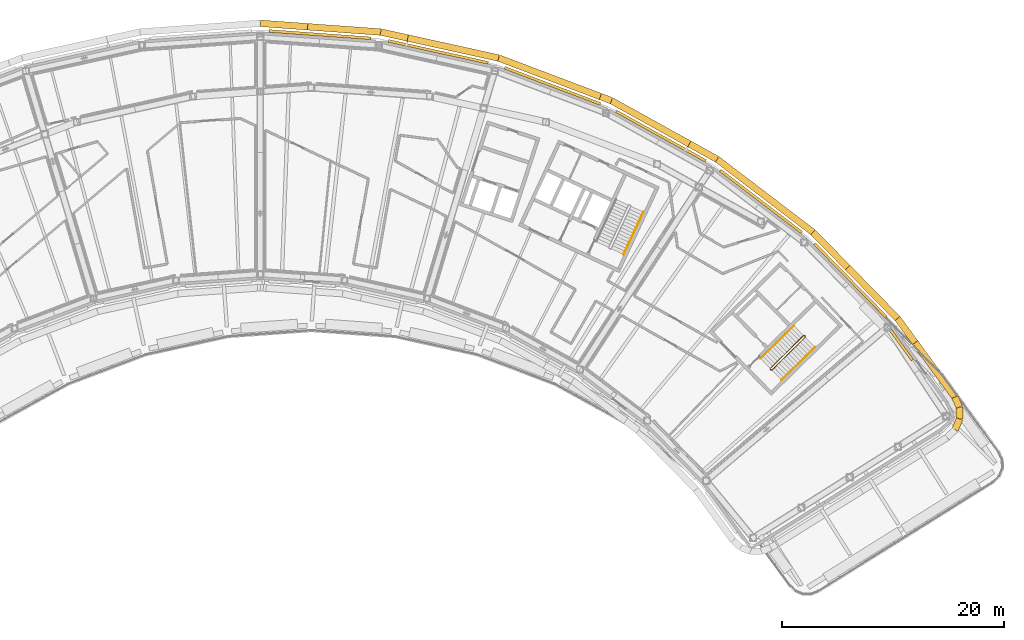
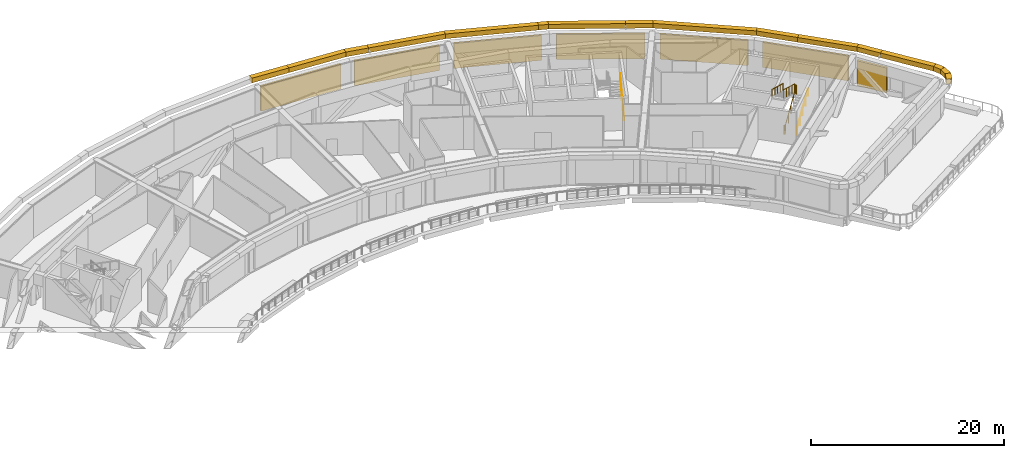
# One storey, part 22 of 24: 16 coverings, 7 shading devices, 4 railings.
"""IFC4 building model written with IfcOpenShell, lengths in metres."""

import ifcopenshell
import ifcopenshell.guid

model = None  # the IFC model being written
_history = None  # IfcOwnerHistory: only IFC2X3 demands one
_inside = {}  # id of a spatial element -> (the spatial element, [elements in it])
_under = {}  # id of a project, library or spatial element -> (it, [spatial elements below it])
_declared = {}  # id of a project -> (the project, [libraries it declares])
_typed = {}  # id of a type object -> (the type object, [elements of that type])
_made_of = {}  # id of a material, layer set ... -> (it, [elements and type objects made of it])


def new_model(schema):
    """Start an empty IFC model of exactly this schema.

    Asked for "IFC4X3", IfcOpenShell would pick the latest addendum, in which some entities
    have other attributes; the version numbers below select the first issue.
    IFC2X3 requires an IfcOwnerHistory on every rooted entity: one is made here for all.
    """
    global model, _history
    if schema == "IFC4X3":
        model = ifcopenshell.file(schema_version=(4, 3, 0, 0))
    else:
        model = ifcopenshell.file(schema=schema)
    _inside.clear()
    _under.clear()
    _declared.clear()
    _typed.clear()
    _made_of.clear()
    _history = None
    if model.schema == "IFC2X3":
        org = make("IfcOrganization", Name="unknown")
        user = make(
            "IfcPersonAndOrganization",
            ThePerson=make("IfcPerson", FamilyName="unknown"),
            TheOrganization=org,
        )
        app = make(
            "IfcApplication",
            ApplicationDeveloper=org,
            Version="unknown",
            ApplicationFullName="unknown",
            ApplicationIdentifier="unknown",
        )
        _history = make(
            "IfcOwnerHistory",
            OwningUser=user,
            OwningApplication=app,
            ChangeAction="ADDED",
            CreationDate=0,
        )
    return model


def make(cls, **values):
    """One entity of the class cls with the attributes given. An attribute that is None is left unset."""
    return model.create_entity(
        cls, **{name: value for name, value in values.items() if value is not None}
    )


def rooted(cls, **values):
    """An entity with a GlobalId (a new one), such as an element, a storey or a relation."""
    return make(cls, GlobalId=ifcopenshell.guid.new(), OwnerHistory=_history, **values)


def si_unit(unit_type, name, prefix=None):
    """IfcSIUnit, for example si_unit("LENGTHUNIT", "METRE", prefix="MILLI")."""
    return make("IfcSIUnit", UnitType=unit_type, Prefix=prefix, Name=name)


def assignment(units):
    """IfcUnitAssignment: the units of a project."""
    return None if units is None else make("IfcUnitAssignment", Units=units)


def point(xyz):
    """IfcCartesianPoint."""
    return None if xyz is None else make("IfcCartesianPoint", Coordinates=xyz)


def direction(xyz):
    """IfcDirection."""
    return None if xyz is None else make("IfcDirection", DirectionRatios=xyz)


def frame(location, z_axis=None, x_axis=None):
    """IfcAxis2Placement3D, a coordinate frame: its origin and axes. An axis left out is left unset."""
    return make(
        "IfcAxis2Placement3D",
        Location=point(location),
        Axis=direction(z_axis),
        RefDirection=direction(x_axis),
    )


def frame_2d(location, x_axis=None):
    """IfcAxis2Placement2D, a coordinate frame in the plane: its origin and x axis."""
    return make(
        "IfcAxis2Placement2D", Location=point(location), RefDirection=direction(x_axis)
    )


def origin():
    """The frame at (0, 0, 0) with its axes left unset."""
    return frame((0.0, 0.0, 0.0))


def origin_2d():
    """The frame at (0, 0) in the plane with its x axis left unset."""
    return frame_2d((0.0, 0.0))


def place(relative_to, where):
    """IfcLocalPlacement: puts the frame where relative to a parent placement (None: the world)."""
    return make(
        "IfcLocalPlacement", PlacementRelTo=relative_to, RelativePlacement=where
    )


def context(
    kind, dimensions, precision=None, world=None, true_north=None, identifier=None
):
    """IfcGeometricRepresentationContext, for example the 3D "Model" context."""
    return make(
        "IfcGeometricRepresentationContext",
        ContextIdentifier=identifier,
        ContextType=kind,
        CoordinateSpaceDimension=dimensions,
        Precision=precision,
        WorldCoordinateSystem=world,
        TrueNorth=true_north,
    )


def subcontext(parent, identifier, kind, view, scale=None):
    """IfcGeometricRepresentationSubContext, for example "Body" below "Model"."""
    return make(
        "IfcGeometricRepresentationSubContext",
        ContextIdentifier=identifier,
        ContextType=kind,
        ParentContext=parent,
        TargetScale=scale,
        TargetView=view,
    )


def project(units=None, contexts=None):
    """IfcProject with its units and contexts."""
    return rooted(
        "IfcProject",
        Name="project",
        RepresentationContexts=contexts,
        UnitsInContext=assignment(units),
    )


def spatial(cls, under=None, at=None, **own):
    """A site, building, storey or space (cls), placed at a placement, below another one or the project."""
    s = rooted(cls, ObjectPlacement=at, **own)
    if under is not None:
        _under.setdefault(under.id(), (under, []))[1].append(s)
    return s


def profile(cls, at=None, kind="AREA", **sizes):
    """A parametric profile (cls). Its sizes go by their IFC names, for example OverallWidth=200.0."""
    return make(cls, ProfileType=kind, Position=at, **sizes)


def rectangle(**sizes):
    """IfcRectangleProfileDef."""
    return profile("IfcRectangleProfileDef", **sizes)


def circle(**sizes):
    """IfcCircleProfileDef."""
    return profile("IfcCircleProfileDef", **sizes)


def extrude(swept, where, along, depth):
    """IfcExtrudedAreaSolid: the profile swept, set in the frame where, extruded along a direction by depth."""
    return make(
        "IfcExtrudedAreaSolid",
        SweptArea=swept,
        Position=where,
        ExtrudedDirection=direction(along),
        Depth=depth,
    )


def shape(context_of_items, identifier, shape_type, items):
    """IfcShapeRepresentation: the items that make up one representation, for example the "Body"."""
    return make(
        "IfcShapeRepresentation",
        ContextOfItems=context_of_items,
        RepresentationIdentifier=identifier,
        RepresentationType=shape_type,
        Items=items,
    )


def material(Name=None, Category=None):
    """IfcMaterial."""
    return make("IfcMaterial", Name=Name, Category=Category)


def material_profile(
    of_material, cross_section, Name=None, Category=None, Priority=None
):
    """IfcMaterialProfile: a cross section and its material."""
    return make(
        "IfcMaterialProfile",
        Name=Name,
        Material=of_material,
        Profile=cross_section,
        Priority=Priority,
        Category=Category,
    )


def profile_set(profiles, Name=None, composite=None):
    """IfcMaterialProfileSet."""
    return make(
        "IfcMaterialProfileSet",
        Name=Name,
        MaterialProfiles=profiles,
        CompositeProfile=composite,
    )


def made_of(thing, what):
    """Note that an element or type object is made of a material, layer set ...; save() writes the relation."""
    if what is not None:
        _made_of.setdefault(what.id(), (what, []))[1].append(thing)
    return thing


def type_object(cls, material=None, **own):
    """A type object (cls), such as IfcWallType, which elements share."""
    return made_of(rooted(cls, **own), material)


def element(
    cls,
    number,
    at=None,
    inside=None,
    cuts=None,
    type_object=None,
    material=None,
    context=None,
    identifier="Body",
    shape_type=None,
    held_by="IfcProductDefinitionShape",
    body=None,
    shapes=None,
    **own,
):
    """One element of the class cls, such as IfcWall. Its Tag is "e" and its number.

    at: its placement. inside: the storey or other place that contains it. cuts: it is an
    opening in that element (IfcRelVoidsElement). A single representation is given by context,
    identifier, shape_type and body (its items); several are given by shapes. held_by: the class
    of the entity that holds the representations. save() writes the other relations.
    """
    e = rooted(cls, Tag="e%d" % number, ObjectPlacement=at, **own)
    if body is not None:
        shapes = [shape(context, identifier, shape_type, body)]
    if shapes is not None:
        e.Representation = make(held_by, Representations=shapes)
    if inside is not None:
        _inside.setdefault(inside.id(), (inside, []))[1].append(e)
    if cuts is not None:
        rooted(
            "IfcRelVoidsElement", RelatingBuildingElement=cuts, RelatedOpeningElement=e
        )
    if type_object is not None:
        _typed.setdefault(type_object.id(), (type_object, []))[1].append(e)
    return made_of(e, material)


def aggregate(whole, parts):
    """IfcRelAggregates: a whole, such as a stair, and the parts it consists of."""
    return rooted("IfcRelAggregates", RelatingObject=whole, RelatedObjects=parts)


def save(model, path):
    """Write the relations noted so far, then the file.

    IfcRelAggregates (storeys below a building ...), IfcRelContainedInSpatialStructure (elements
    in a storey), IfcRelDefinesByType, IfcRelAssociatesMaterial and IfcRelDeclares: one each for
    every whole, place, type object, material and project.
    """
    for whole, parts in _under.values():
        aggregate(whole, parts)
    for where, things in _inside.values():
        rooted(
            "IfcRelContainedInSpatialStructure",
            RelatedElements=things,
            RelatingStructure=where,
        )
    for kind, things in _typed.values():
        rooted("IfcRelDefinesByType", RelatedObjects=things, RelatingType=kind)
    for what, things in _made_of.values():
        rooted("IfcRelAssociatesMaterial", RelatedObjects=things, RelatingMaterial=what)
    for by, libraries in _declared.values():
        rooted("IfcRelDeclares", RelatingContext=by, RelatedDefinitions=libraries)
    model.write(path)


model = new_model("IFC4")

# Units and contexts
model_context = context("Model", 3, precision=1e-05, world=origin(), true_north=direction((0.0, 1.0)))
body_context = subcontext(model_context, "Body", "Model", "MODEL_VIEW")
ifc_project = project(units=[si_unit("LENGTHUNIT", "METRE"), si_unit("AREAUNIT", "SQUARE_METRE"), si_unit("VOLUMEUNIT", "CUBIC_METRE"), si_unit("PLANEANGLEUNIT", "RADIAN"), si_unit("MASSUNIT", "GRAM", prefix="KILO")], contexts=[model_context])

# Site, building, storey
site_placement = place(None, origin())
site = spatial("IfcSite", under=ifc_project, at=site_placement, CompositionType="ELEMENT")
building_placement = place(site_placement, origin())
building = spatial("IfcBuilding", under=site, at=building_placement, Name="Tuul Gate Civic Tower", CompositionType="ELEMENT")
storey_placement = place(building_placement, frame((0.0, 0.0, 315.199951171875)))
storey = spatial("IfcBuildingStorey", under=building, at=storey_placement, Name="Plant and refuge floor 7", CompositionType="ELEMENT", Elevation=315.199951171875)

# Shading devices
ifc_material_1 = material(Name="Aluminium louvre", Category="aluminium")
shading_device_type = type_object("IfcShadingDeviceType", Name="Louvre panel", PredefinedType="USERDEFINED", material=ifc_material_1)
for number, where, z_axis, x_axis, name in (
    (1, (55.2373046875, -8.072998046875, 0.300048828125), (0.0, 0.0, 1.0), (0.714100212908, 0.700043488595, 0.0), "Louvre panel"),
    (2, (47.190185546875, -0.971435546875, 0.300048828125), (0.0, 0.0, 1.0), (0.605807600786, 0.795611180684, 0.0), "Louvre panel"),
    (3, (38.20361328125, 4.896240234375, 0.300048828125), (0.0, 0.0, 1.0), (0.48478912347, 0.874631068374, 0.0), "Louvre panel"),
    (4, (28.46533203125, 9.407958984375, 0.300048828125), (0.0, 0.0, 1.0), (0.35373363489, 0.935346200905, 0.0), "Louvre panel"),
    (5, (18.178466796875, 12.468994140625, 0.300048828125), (0.0, 0.0, 1.0), (0.215215147882, 0.976566659334, 0.0), "Louvre panel"),
    (6, (7.55810546875, 14.015625, 0.300048828125), (0.0, 0.0, 1.0), (0.07223936563, 0.997387323989, 0.0), "Louvre panel"),
):
    element("IfcShadingDevice", number, at=place(storey_placement, frame(where, z_axis=z_axis, x_axis=x_axis)), inside=storey, type_object=shading_device_type, Name=name, ObjectType="LOUVRE", PredefinedType="USERDEFINED", context=body_context, shape_type="SweptSolid", body=[
        extrude(rectangle(XDim=0.25, YDim=9.199951171875, at=origin_2d()), origin(), (0.0, 0.0, 1.0), 3.14990234375),
    ])
shading_device_placement = place(storey_placement, frame((59.828857421875, -13.892822265625, 0.300048828125), z_axis=(0.0, 0.0, 1.0), x_axis=(-0.80757848712, -0.589760109825, 0.0)))
element("IfcShadingDevice", 7, at=shading_device_placement, inside=storey, type_object=shading_device_type, Name="Louvre panel", ObjectType="LOUVRE", PredefinedType="USERDEFINED", context=body_context, shape_type="SweptSolid", body=[
    extrude(rectangle(XDim=0.25, YDim=3.35009765625, at=origin_2d()), origin(), (0.0, 0.0, 1.0), 3.14990234375),
])

# Railings
ifc_material_2 = material(Name="Painted steel", Category="steel")
railing_type_1 = type_object("IfcRailingType", Name="Stair guard", PredefinedType="GUARDRAIL", material=ifc_material_2)
railing_1_placement = place(storey_placement, frame((48.10546875, -16.134765625, 0.0)))
element("IfcRailing", 8, at=railing_1_placement, inside=storey, type_object=railing_type_1, Name="Plant and refuge floor 7 ST-3 stair guard 1", PredefinedType="GUARDRAIL", context=body_context, shape_type="SweptSolid", body=[
    extrude(circle(Radius=0.02392578125, at=origin_2d()), frame((0.0, 0.0, 1.076171875), z_axis=(-0.698506948293, 0.715603272202, 0.0), x_axis=(-0.715603272202, -0.698506948293, 0.0)), (0.0, 0.0, 1.0), 0.099853515625),
    extrude(circle(Radius=0.02392578125, at=origin_2d()), frame((-0.06982421875, 0.071533203125, 1.076171875), z_axis=(0.644948864628, -0.331432055434, 0.688617277337), x_axis=(0.457068866502, 0.889431307788, 0.0)), (0.0, 0.0, 1.0), 0.218017578125),
    extrude(circle(Radius=0.02392578125, at=origin_2d()), frame((0.07080078125, -0.000732421875, 1.22607421875), z_axis=(0.63872519735, 0.62614306485, 0.44718562657), x_axis=(-0.700038283577, 0.714105315431, 0.0)), (0.0, 0.0, 1.0), 4.69580078125),
    extrude(circle(Radius=0.02392578125, at=origin_2d()), frame((3.070068359375, 2.939453125, 3.326171875), z_axis=(0.010380063588, 0.999946125689, 0.0), x_axis=(-0.999946125689, 0.010380063588, 0.0)), (0.0, 0.0, 1.0), 0.070556640625),
    extrude(circle(Radius=0.02392578125, at=origin_2d()), frame((3.07080078125, 3.010009765625, 3.326171875), z_axis=(-0.699754442181, 0.714383454909, 0.0), x_axis=(-0.714383454909, -0.699754442181, 0.0)), (0.0, 0.0, 1.0), 0.10009765625),
    extrude(circle(Radius=0.02392578125, at=origin_2d()), frame((3.000732421875, 3.08154296875, 3.326171875), z_axis=(-0.425296725904, 0.004414844906, 0.905043205643), x_axis=(-0.010380063588, -0.999946125689, 0.0)), (0.0, 0.0, 1.0), 0.166015625),
    extrude(circle(Radius=0.02392578125, at=origin_2d()), frame((2.93017578125, 3.082275390625, 3.47607421875), z_axis=(-0.638755976814, -0.626122271592, 0.447170776215), x_axis=(0.700009225839, -0.714133799606, 0.0)), (0.0, 0.0, 1.0), 4.69580078125),
    extrude(circle(Radius=0.02099609375, at=origin_2d()), origin(), (0.0, 0.0, 1.0), 1.052001953125),
    extrude(circle(Radius=0.02099609375, at=origin_2d()), frame((-0.06982421875, 0.071533203125, 0.0)), (0.0, 0.0, 1.0), 1.052001953125),
    extrude(circle(Radius=0.02099609375, at=origin_2d()), frame((0.07080078125, -0.000732421875, 0.150146484375)), (0.0, 0.0, 1.0), 1.052001953125),
    extrude(circle(Radius=0.02099609375, at=origin_2d()), frame((0.820556640625, 0.734375, 0.675048828125)), (0.0, 0.0, 1.0), 1.052001953125),
    extrude(circle(Radius=0.02099609375, at=origin_2d()), frame((1.5703125, 1.46923828125, 1.2001953125)), (0.0, 0.0, 1.0), 1.052001953125),
    extrude(circle(Radius=0.02099609375, at=origin_2d()), frame((2.3203125, 2.204345703125, 1.72509765625)), (0.0, 0.0, 1.0), 1.052001953125),
    extrude(circle(Radius=0.02099609375, at=origin_2d()), frame((3.070068359375, 2.939453125, 2.25)), (0.0, 0.0, 1.0), 1.052001953125),
    extrude(circle(Radius=0.02099609375, at=origin_2d()), frame((3.07080078125, 3.010009765625, 2.25)), (0.0, 0.0, 1.0), 1.052001953125),
    extrude(circle(Radius=0.02099609375, at=origin_2d()), frame((3.000732421875, 3.08154296875, 2.25)), (0.0, 0.0, 1.0), 1.052001953125),
    extrude(circle(Radius=0.02099609375, at=origin_2d()), frame((2.93017578125, 3.082275390625, 2.400146484375)), (0.0, 0.0, 1.0), 1.052001953125),
    extrude(circle(Radius=0.02099609375, at=origin_2d()), frame((2.18017578125, 2.34716796875, 2.925048828125)), (0.0, 0.0, 1.0), 1.052001953125),
    extrude(circle(Radius=0.02099609375, at=origin_2d()), frame((1.430419921875, 1.6123046875, 3.4501953125)), (0.0, 0.0, 1.0), 1.052001953125),
    extrude(circle(Radius=0.02099609375, at=origin_2d()), frame((0.6806640625, 0.877197265625, 3.97509765625)), (0.0, 0.0, 1.0), 1.052001953125),
    extrude(circle(Radius=0.02099609375, at=origin_2d()), frame((-0.0693359375, 0.14208984375, 4.5)), (0.0, 0.0, 1.0), 1.052001953125),
])
ifc_material_3 = material(Name="Painted steel", Category="steel")
railing_type_2 = type_object("IfcRailingType", Name="Stair handrail", PredefinedType="HANDRAIL", material=ifc_material_3)
railing_2_placement = place(storey_placement, frame((49.05126953125, -17.028076171875, 0.150146484375)))
element("IfcRailing", 9, at=railing_2_placement, inside=storey, type_object=railing_type_2, Name="Plant and refuge floor 7 ST-3 stair handrail 1", PredefinedType="HANDRAIL", context=body_context, shape_type="SweptSolid", body=[
    extrude(circle(Radius=0.02392578125, at=origin_2d()), frame((0.0, 0.0, 0.8759765625), z_axis=(0.63872519735, 0.62614306485, 0.44718562657), x_axis=(-0.700038283577, 0.714105315431, 0.0)), (0.0, 0.0, 1.0), 4.69580078125),
    extrude(circle(Radius=0.02099609375, at=origin_2d()), origin(), (0.0, 0.0, 1.0), 0.851806640625),
    extrude(circle(Radius=0.02099609375, at=origin_2d()), frame((0.749755859375, 0.735107421875, 0.52490234375)), (0.0, 0.0, 1.0), 0.851806640625),
    extrude(circle(Radius=0.02099609375, at=origin_2d()), frame((1.49951171875, 1.47021484375, 1.0498046875)), (0.0, 0.0, 1.0), 0.851806640625),
    extrude(circle(Radius=0.02099609375, at=origin_2d()), frame((2.24951171875, 2.205078125, 1.574951171875)), (0.0, 0.0, 1.0), 0.851806640625),
    extrude(circle(Radius=0.02099609375, at=origin_2d()), frame((2.999267578125, 2.940185546875, 2.099853515625)), (0.0, 0.0, 1.0), 0.851806640625),
])
railing_3_placement = place(storey_placement, frame((50.16064453125, -12.159912109375, 2.400146484375)))
element("IfcRailing", 10, at=railing_3_placement, inside=storey, type_object=railing_type_2, Name="Plant and refuge floor 7 ST-3 stair handrail 2", PredefinedType="HANDRAIL", context=body_context, shape_type="SweptSolid", body=[
    extrude(circle(Radius=0.02392578125, at=origin_2d()), frame((0.0, 0.0, 0.8759765625), z_axis=(-0.638776770035, -0.626090661303, 0.447185332824), x_axis=(0.699979580613, -0.714162857284, 0.0)), (0.0, 0.0, 1.0), 4.69580078125),
    extrude(circle(Radius=0.02099609375, at=origin_2d()), origin(), (0.0, 0.0, 1.0), 0.851806640625),
    extrude(circle(Radius=0.02099609375, at=origin_2d()), frame((-0.75, -0.73486328125, 0.52490234375)), (0.0, 0.0, 1.0), 0.851806640625),
    extrude(circle(Radius=0.02099609375, at=origin_2d()), frame((-1.499755859375, -1.469970703125, 1.0498046875)), (0.0, 0.0, 1.0), 0.851806640625),
    extrude(circle(Radius=0.02099609375, at=origin_2d()), frame((-2.24951171875, -2.205078125, 1.574951171875)), (0.0, 0.0, 1.0), 0.851806640625),
    extrude(circle(Radius=0.02099609375, at=origin_2d()), frame((-2.99951171875, -2.93994140625, 2.099853515625)), (0.0, 0.0, 1.0), 0.851806640625),
])
railing_4_placement = place(storey_placement, frame((34.844970703125, -5.74267578125, 0.150146484375)))
element("IfcRailing", 11, at=railing_4_placement, inside=storey, type_object=railing_type_2, Name="Plant and refuge floor 7 ST-4 stair handrail 1", PredefinedType="HANDRAIL", context=body_context, shape_type="SweptSolid", body=[
    extrude(circle(Radius=0.02392578125, at=origin_2d()), frame((0.0, 0.0, 0.8759765625), z_axis=(0.377979662676, 0.810654594284, 0.447180616049), x_axis=(-0.906322681284, 0.422586319455, 0.0)), (0.0, 0.0, 1.0), 4.69580078125),
    extrude(circle(Radius=0.02099609375, at=origin_2d()), origin(), (0.0, 0.0, 1.0), 0.851806640625),
    extrude(circle(Radius=0.02099609375, at=origin_2d()), frame((0.44384765625, 0.95166015625, 0.52490234375)), (0.0, 0.0, 1.0), 0.851806640625),
    extrude(circle(Radius=0.02099609375, at=origin_2d()), frame((0.887451171875, 1.9033203125, 1.0498046875)), (0.0, 0.0, 1.0), 0.851806640625),
    extrude(circle(Radius=0.02099609375, at=origin_2d()), frame((1.3310546875, 2.85498046875, 1.574951171875)), (0.0, 0.0, 1.0), 0.851806640625),
    extrude(circle(Radius=0.02099609375, at=origin_2d()), frame((1.77490234375, 3.806640625, 2.099853515625)), (0.0, 0.0, 1.0), 0.851806640625),
])

# Coverings
ifc_material_4 = material(Name="Terracotta baguette", Category="masonry")
ifc_material_profile = material_profile(ifc_material_4, rectangle(XDim=0.60009765625, YDim=0.60009765625, at=origin_2d()), Name="Terracotta baguette screen frame")
ifc_profile_set = profile_set([ifc_material_profile], Name="Terracotta baguette")
covering_type = type_object("IfcCoveringType", Name="Terracotta baguette screen frame", PredefinedType="CLADDING", material=ifc_profile_set)
covering_1_placement = place(storey_placement, frame((61.062744140625, -13.6748046875, 4.150146484375), z_axis=(-0.58975169847, 0.807584629715, 0.0), x_axis=(-0.807584629715, -0.58975169847, 0.0)))
element("IfcCovering", 12, at=covering_1_placement, inside=storey, type_object=covering_type, Name="Baguette 21", PredefinedType="CLADDING", context=body_context, shape_type="SweptSolid", body=[
    extrude(rectangle(XDim=0.60009765625, YDim=0.60009765625, at=origin_2d()), origin(), (0.0, 0.0, 1.0), 2.680908203125),
])
covering_2_placement = place(storey_placement, frame((59.481689453125, -11.509765625, 4.150146484375), z_axis=(-0.700039399016, 0.714104221963, 0.0), x_axis=(-0.714104221963, -0.700039399016, 0.0)))
element("IfcCovering", 13, at=covering_2_placement, inside=storey, type_object=covering_type, Name="Baguette 22", PredefinedType="CLADDING", context=body_context, shape_type="SweptSolid", body=[
    extrude(rectangle(XDim=0.60009765625, YDim=0.60009765625, at=origin_2d()), origin(), (0.0, 0.0, 1.0), 6.4052734375),
])
covering_3_placement = place(storey_placement, frame((40.76123046875, 4.193359375, 4.150146484375), z_axis=(-0.874641739175, 0.484769871272, 0.0), x_axis=(-0.484769871272, -0.874641739175, 0.0)))
element("IfcCovering", 14, at=covering_3_placement, inside=storey, type_object=covering_type, Name="Baguette 45", PredefinedType="CLADDING", context=body_context, shape_type="SweptSolid", body=[
    extrude(rectangle(XDim=0.60009765625, YDim=0.60009765625, at=origin_2d()), origin(), (0.0, 0.0, 1.0), 8.003662109375),
])
covering_4_placement = place(storey_placement, frame((33.760986328125, 8.0732421875, 4.150146484375), z_axis=(-0.935320988118, 0.353800295628, 0.0), x_axis=(-0.353800295628, -0.935320988118, 0.0)))
element("IfcCovering", 15, at=covering_4_placement, inside=storey, type_object=covering_type, Name="Baguette 46", PredefinedType="CLADDING", context=body_context, shape_type="SweptSolid", body=[
    extrude(rectangle(XDim=0.60009765625, YDim=0.60009765625, at=origin_2d()), origin(), (0.0, 0.0, 1.0), 1.06884765625),
])
covering_5_placement = place(storey_placement, frame((15.44482421875, 13.71142578125, 4.150146484375), z_axis=(-0.976564116236, 0.215226687194, 0.0), x_axis=(-0.215226687194, -0.976564116236, 0.0)))
element("IfcCovering", 16, at=covering_5_placement, inside=storey, type_object=covering_type, Name="Baguette 63", PredefinedType="CLADDING", context=body_context, shape_type="SweptSolid", body=[
    extrude(rectangle(XDim=0.60009765625, YDim=0.60009765625, at=origin_2d()), origin(), (0.0, 0.0, 1.0), 2.48876953125),
])
covering_6_placement = place(storey_placement, frame((13.014404296875, 14.2470703125, 4.150146484375), z_axis=(-0.997387429725, 0.072237905752, 0.0), x_axis=(-0.072237905752, -0.997387429725, 0.0)))
element("IfcCovering", 17, at=covering_6_placement, inside=storey, type_object=covering_type, Name="Baguette 64", PredefinedType="CLADDING", context=body_context, shape_type="SweptSolid", body=[
    extrude(rectangle(XDim=0.60009765625, YDim=0.60009765625, at=origin_2d()), origin(), (0.0, 0.0, 1.0), 6.58349609375),
])
covering_7_placement = place(storey_placement, frame((54.997802734375, -6.935791015625, 4.150146484375), z_axis=(-0.700070312819, 0.714073915719, 0.0), x_axis=(-0.714073915719, -0.700070312819, 0.0)))
element("IfcCovering", 18, at=covering_7_placement, inside=storey, type_object=covering_type, Name="Baguette 381", PredefinedType="CLADDING", context=body_context, shape_type="SweptSolid", body=[
    extrude(rectangle(XDim=0.60009765625, YDim=0.60009765625, at=origin_2d()), origin(), (0.0, 0.0, 1.0), 4.44580078125),
])
covering_8_placement = place(storey_placement, frame((51.885498046875, -3.76123046875, 4.150146484375), z_axis=(-0.79561038643, 0.605808643884, 0.0), x_axis=(-0.605808643884, -0.79561038643, 0.0)))
element("IfcCovering", 19, at=covering_8_placement, inside=storey, type_object=covering_type, Name="Baguette 382", PredefinedType="CLADDING", context=body_context, shape_type="SweptSolid", body=[
    extrude(rectangle(XDim=0.60009765625, YDim=0.60009765625, at=origin_2d()), origin(), (0.0, 0.0, 1.0), 10.85107421875),
])
covering_9_placement = place(storey_placement, frame((43.252197265625, 2.8125, 4.150146484375), z_axis=(-0.874605722135, 0.484834849005, 0.0), x_axis=(-0.484834849005, -0.874605722135, 0.0)))
element("IfcCovering", 20, at=covering_9_placement, inside=storey, type_object=covering_type, Name="Baguette 383", PredefinedType="CLADDING", context=body_context, shape_type="SweptSolid", body=[
    extrude(rectangle(XDim=0.60009765625, YDim=0.60009765625, at=origin_2d()), origin(), (0.0, 0.0, 1.0), 2.84814453125),
])
covering_10_placement = place(storey_placement, frame((32.76123046875, 8.451416015625, 4.150146484375), z_axis=(-0.935348087792, 0.353728645523, 0.0), x_axis=(-0.353728645523, -0.935348087792, 0.0)))
element("IfcCovering", 21, at=covering_10_placement, inside=storey, type_object=covering_type, Name="Baguette 384", PredefinedType="CLADDING", context=body_context, shape_type="SweptSolid", body=[
    extrude(rectangle(XDim=0.60009765625, YDim=0.60009765625, at=origin_2d()), origin(), (0.0, 0.0, 1.0), 9.781982421875),
])
covering_11_placement = place(storey_placement, frame((23.611572265625, 11.91162109375, 4.150146484375), z_axis=(-0.976566109565, 0.215217642513, 0.0), x_axis=(-0.215217642513, -0.976566109565, 0.0)))
element("IfcCovering", 22, at=covering_11_placement, inside=storey, type_object=covering_type, Name="Baguette 385", PredefinedType="CLADDING", context=body_context, shape_type="SweptSolid", body=[
    extrude(rectangle(XDim=0.60009765625, YDim=0.60009765625, at=origin_2d()), origin(), (0.0, 0.0, 1.0), 8.36279296875),
])
covering_12_placement = place(storey_placement, frame((6.447998046875, 14.72265625, 4.150146484375), z_axis=(-0.997385871745, 0.072259413527, 0.0), x_axis=(-0.072259413527, -0.997385871745, 0.0)))
element("IfcCovering", 23, at=covering_12_placement, inside=storey, type_object=covering_type, Name="Baguette 386", PredefinedType="CLADDING", context=body_context, shape_type="SweptSolid", body=[
    extrude(rectangle(XDim=0.60009765625, YDim=0.60009765625, at=origin_2d()), origin(), (0.0, 0.0, 1.0), 4.267333984375),
])
covering_13_placement = place(storey_placement, frame((64.645751953125, -21.515380859375, 4.150146484375), z_axis=(0.38567152588, 0.92263615479, 0.0), x_axis=(-0.92263615479, 0.38567152588, 0.0)))
element("IfcCovering", 24, at=covering_13_placement, inside=storey, type_object=covering_type, Name="Baguette 415", PredefinedType="CLADDING", context=body_context, shape_type="SweptSolid", body=[
    extrude(rectangle(XDim=0.60009765625, YDim=0.60009765625, at=origin_2d()), origin(), (0.0, 0.0, 1.0), 1.066650390625),
])
covering_14_placement = place(storey_placement, frame((65.05712890625, -20.53125, 4.150146484375), z_axis=(-0.014630349823, 0.999892970704, 0.0), x_axis=(-0.999892970704, -0.014630349823, 0.0)))
element("IfcCovering", 25, at=covering_14_placement, inside=storey, type_object=covering_type, Name="Baguette 416", PredefinedType="CLADDING", context=body_context, shape_type="SweptSolid", body=[
    extrude(rectangle(XDim=0.60009765625, YDim=0.60009765625, at=origin_2d()), origin(), (0.0, 0.0, 1.0), 1.06787109375),
])
covering_15_placement = place(storey_placement, frame((65.04150390625, -19.46337890625, 4.150146484375), z_axis=(-0.413393330634, 0.910552554325, 0.0), x_axis=(-0.910552554325, -0.413393330634, 0.0)))
element("IfcCovering", 26, at=covering_15_placement, inside=storey, type_object=covering_type, Name="Baguette 417", PredefinedType="CLADDING", context=body_context, shape_type="SweptSolid", body=[
    extrude(rectangle(XDim=0.60009765625, YDim=0.60009765625, at=origin_2d()), origin(), (0.0, 0.0, 1.0), 0.988037109375),
])
covering_16_placement = place(storey_placement, frame((64.633056640625, -18.563720703125, 4.150146484375), z_axis=(-0.589762767283, 0.80757654642, 0.0), x_axis=(-0.80757654642, -0.589762767283, 0.0)))
element("IfcCovering", 27, at=covering_16_placement, inside=storey, type_object=covering_type, Name="Baguette 418", PredefinedType="CLADDING", context=body_context, shape_type="SweptSolid", body=[
    extrude(rectangle(XDim=0.60009765625, YDim=0.60009765625, at=origin_2d()), origin(), (0.0, 0.0, 1.0), 6.0537109375),
])

save(model, "model.ifc")
